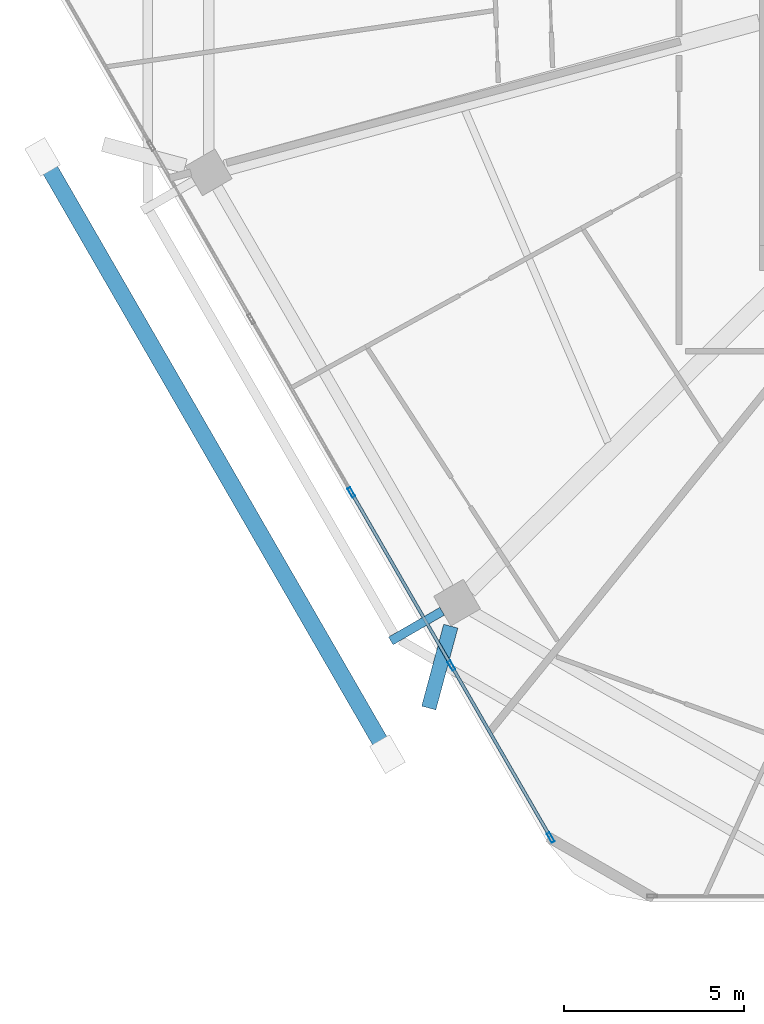
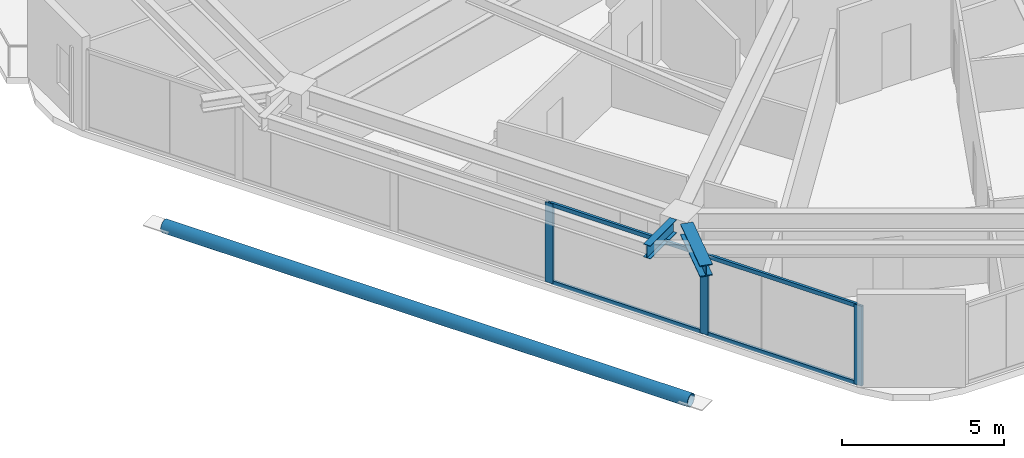
# One storey, part 2 of 28: 8 members, 2 beams, 1 element without a shape of its own.
"""IFC4 building model written with IfcOpenShell, lengths in metres."""

from ifc_helpers import new_model, si_unit, direction, frame, origin, origin_2d, place, context, subcontext, project, spatial, hollow_rectangle, hollow_circle, i_section, extrude, material, material_profile, profile_set, type_object, element, aggregate, save


model = new_model("IFC4")

# Units and contexts
model_context = context("Model", 3, precision=1e-05, world=origin(), true_north=direction((0.0, 1.0)))
body_context = subcontext(model_context, "Body", "Model", "MODEL_VIEW")
ifc_project = project(units=[si_unit("LENGTHUNIT", "METRE"), si_unit("AREAUNIT", "SQUARE_METRE"), si_unit("VOLUMEUNIT", "CUBIC_METRE"), si_unit("PLANEANGLEUNIT", "RADIAN"), si_unit("MASSUNIT", "GRAM", prefix="KILO")], contexts=[model_context])

# Site, building, storey
site_placement = place(None, origin())
site = spatial("IfcSite", under=ifc_project, at=site_placement, CompositionType="ELEMENT")
building_placement = place(site_placement, origin())
building = spatial("IfcBuilding", under=site, at=building_placement, Name="Zuhravey Tower", CompositionType="ELEMENT")
storey_placement = place(building_placement, frame((0.0, 0.0, 222.60009765625)))
storey = spatial("IfcBuildingStorey", under=building, at=storey_placement, Name="L56", CompositionType="ELEMENT", Elevation=222.60009765625)

# Curtain wall, members
ifc_material_1 = material(Name="Thermally broken anodised aluminium", Category="aluminium")
curtain_wall_type = type_object("IfcCurtainWallType", Name="Zone 1-2 Residential Curtain Wall CW3", PredefinedType="NOTDEFINED", material=ifc_material_1)
curtain_wall_placement = place(storey_placement, origin())
curtain_wall = element("IfcCurtainWall", 1, at=curtain_wall_placement, inside=storey, type_object=curtain_wall_type, Name="L56 CW3 CW-L56-F4-1", PredefinedType="NOTDEFINED")
ifc_material_2 = material(Name="Anodised aluminium", Category="aluminium")
ifc_material_profile_1 = material_profile(ifc_material_2, hollow_rectangle(XDim=0.090087890625, YDim=0.284912109375, WallThickness=0.0048828125, at=origin_2d()), Name="ALU-RHS-90x285x5")
ifc_profile_set_1 = profile_set([ifc_material_profile_1], Name="Anodised aluminium")
member_type_1 = type_object("IfcMemberType", Name="Curtain-Wall Mullion 90x180", PredefinedType="MULLION", material=ifc_profile_set_1)
member_1_placement = place(storey_placement, frame((19.36669921875, 6.443359375, 0.0), z_axis=(0.0, 0.0, 1.0), x_axis=(-0.866025138215, -0.500000459979, 0.0)))
member_1 = element("IfcMember", 2, at=member_1_placement, type_object=member_type_1, Name="CW3 mullion 1", PredefinedType="MULLION", context=body_context, shape_type="SweptSolid", body=[
    extrude(hollow_rectangle(XDim=0.090087890625, YDim=0.284912109375, WallThickness=0.0048828125, at=origin_2d()), origin(), (0.0, 0.0, 1.0), 3.02001953125),
])
member_2_placement = place(storey_placement, frame((16.6171875, 11.2060546875, 0.0), z_axis=(0.0, 0.0, 1.0), x_axis=(-0.866025138215, -0.500000459979, 0.0)))
member_2 = element("IfcMember", 3, at=member_2_placement, type_object=member_type_1, Name="CW3 mullion 2", PredefinedType="MULLION", context=body_context, shape_type="SweptSolid", body=[
    extrude(hollow_rectangle(XDim=0.090087890625, YDim=0.284912109375, WallThickness=0.0048828125, at=origin_2d()), origin(), (0.0, 0.0, 1.0), 3.02001953125),
])
member_3_placement = place(storey_placement, frame((13.844970703125, 16.007568359375, 0.0), z_axis=(0.0, 0.0, 1.0), x_axis=(-0.866025138215, -0.500000459979, 0.0)))
member_3 = element("IfcMember", 4, at=member_3_placement, type_object=member_type_1, Name="CW3 mullion 3", PredefinedType="MULLION", context=body_context, shape_type="SweptSolid", body=[
    extrude(hollow_rectangle(XDim=0.090087890625, YDim=0.284912109375, WallThickness=0.0048828125, at=origin_2d()), origin(), (0.0, 0.0, 1.0), 3.02001953125),
])
ifc_material_profile_2 = material_profile(ifc_material_2, hollow_rectangle(XDim=0.090087890625, YDim=0.14990234375, WallThickness=0.0048828125, at=origin_2d()), Name="ALU-RHS-90x150x5")
ifc_profile_set_2 = profile_set([ifc_material_profile_2], Name="Anodised aluminium")
member_type_2 = type_object("IfcMemberType", Name="Curtain-Wall Transom 90x150", PredefinedType="USERDEFINED", material=ifc_profile_set_2)
member_4_placement = place(storey_placement, frame((19.34423828125, 6.482421875, 0.044921875), z_axis=(-0.499993332629, 0.866029253159, 0.0), x_axis=(-0.866029253159, -0.499993332629, 0.0)))
member_4 = element("IfcMember", 5, at=member_4_placement, type_object=member_type_2, Name="CW3 transom 1.1", ObjectType="TRANSOM", PredefinedType="USERDEFINED", context=body_context, shape_type="SweptSolid", body=[
    extrude(hollow_rectangle(XDim=0.090087890625, YDim=0.14990234375, WallThickness=0.0048828125, at=origin_2d()), origin(), (0.0, 0.0, 1.0), 5.4091796875),
])
member_5_placement = place(storey_placement, frame((19.34423828125, 6.482421875, 2.974853515625), z_axis=(-0.499993332629, 0.866029253159, 0.0), x_axis=(-0.866029253159, -0.499993332629, 0.0)))
member_5 = element("IfcMember", 6, at=member_5_placement, type_object=member_type_2, Name="CW3 transom 1.2", ObjectType="TRANSOM", PredefinedType="USERDEFINED", context=body_context, shape_type="SweptSolid", body=[
    extrude(hollow_rectangle(XDim=0.090087890625, YDim=0.14990234375, WallThickness=0.0048828125, at=origin_2d()), origin(), (0.0, 0.0, 1.0), 5.4091796875),
])
member_6_placement = place(storey_placement, frame((16.594482421875, 11.244873046875, 0.044921875), z_axis=(-0.49996138257, 0.86604769842, 0.0), x_axis=(-0.86604769842, -0.49996138257, 0.0)))
member_6 = element("IfcMember", 7, at=member_6_placement, type_object=member_type_2, Name="CW3 transom 2.1", ObjectType="TRANSOM", PredefinedType="USERDEFINED", context=body_context, shape_type="SweptSolid", body=[
    extrude(hollow_rectangle(XDim=0.090087890625, YDim=0.14990234375, WallThickness=0.0048828125, at=origin_2d()), origin(), (0.0, 0.0, 1.0), 5.45458984375),
])
member_7_placement = place(storey_placement, frame((16.594482421875, 11.244873046875, 2.974853515625), z_axis=(-0.49996138257, 0.86604769842, 0.0), x_axis=(-0.86604769842, -0.49996138257, 0.0)))
member_7 = element("IfcMember", 8, at=member_7_placement, type_object=member_type_2, Name="CW3 transom 2.2", ObjectType="TRANSOM", PredefinedType="USERDEFINED", context=body_context, shape_type="SweptSolid", body=[
    extrude(hollow_rectangle(XDim=0.090087890625, YDim=0.14990234375, WallThickness=0.0048828125, at=origin_2d()), origin(), (0.0, 0.0, 1.0), 5.45458984375),
])
aggregate(curtain_wall, [member_1, member_2, member_3, member_4, member_5, member_6, member_7])

# Beam
ifc_material_3 = material(Name="Steel SM460", Category="steel")
ifc_material_profile_3 = material_profile(ifc_material_3, i_section(OverallWidth=0.406982421875, OverallDepth=0.427978515625, WebThickness=0.02001953125, FlangeThickness=0.034912109375, at=origin_2d()), Name="H-428x407x20x35")
ifc_profile_set_3 = profile_set([ifc_material_profile_3], Name="Steel SM460")
beam_type_1 = type_object("IfcBeamType", Name="Exoskeleton Node Tie Beam H428x407", PredefinedType="BEAM", material=ifc_profile_set_3)
beam_1_placement = place(storey_placement, frame((16.59912109375, 12.30126953125, 3.305908203125), z_axis=(-0.259596890668, -0.965717067446, 0.0), x_axis=(0.965717067446, -0.259596890668, 0.0)))
element("IfcBeam", 9, at=beam_1_placement, inside=storey, type_object=beam_type_1, Name="L56 Exoskeleton Node Tie NT1-08", PredefinedType="BEAM", context=body_context, shape_type="SweptSolid", body=[
    extrude(i_section(OverallWidth=0.406982421875, OverallDepth=0.427978515625, WebThickness=0.02001953125, FlangeThickness=0.034912109375, at=origin_2d()), origin(), (0.0, 0.0, 1.0), 2.348388671875),
])

# Member
ifc_material_4 = material(Name="Steel SM355", Category="steel")
ifc_material_profile_4 = material_profile(ifc_material_4, hollow_circle(Radius=0.228515625, WallThickness=0.02197265625, at=origin_2d()), Name="CHS-457.2x22")
ifc_profile_set_4 = profile_set([ifc_material_profile_4], Name="Steel SM355")
member_type_3 = type_object("IfcMemberType", Name="Exoskeleton Ring Tie CHS457x22", PredefinedType="CHORD", material=ifc_profile_set_4)
member_8_placement = place(storey_placement, frame((5.361083984375, 25.18212890625, -0.464111328125), z_axis=(0.499989194203, -0.866031642424, 0.0), x_axis=(0.866031642424, 0.499989194203, 0.0)))
element("IfcMember", 10, at=member_8_placement, inside=storey, type_object=member_type_3, Name="L56 Exoskeleton Face 4 Tie EXR1", PredefinedType="CHORD", context=body_context, shape_type="SweptSolid", body=[
    extrude(hollow_circle(Radius=0.228515625, WallThickness=0.02197265625, at=origin_2d()), origin(), (0.0, 0.0, 1.0), 18.830078125),
])

# Beam
ifc_material_profile_5 = material_profile(ifc_material_4, i_section(OverallWidth=0.25, OverallDepth=0.5, WebThickness=0.010009765625, FlangeThickness=0.01611328125, at=origin_2d()), Name="H-500x250x10x16")
ifc_profile_set_5 = profile_set([ifc_material_profile_5], Name="Steel SM355")
beam_type_2 = type_object("IfcBeamType", Name="Tray Cantilever Spandrel H500x250", PredefinedType="SPANDREL", material=ifc_profile_set_5)
beam_2_placement = place(storey_placement, frame((16.359619140625, 12.7138671875, 3.27001953125), z_axis=(-0.866009679343, -0.500027234542, 0.0), x_axis=(0.500027234542, -0.866009679343, 0.0)))
element("IfcBeam", 11, at=beam_2_placement, inside=storey, type_object=beam_type_2, Name="L56 Sky-Tray Cantilever Arm TSB1-R08", PredefinedType="SPANDREL", context=body_context, shape_type="SweptSolid", body=[
    extrude(i_section(OverallWidth=0.25, OverallDepth=0.5, WebThickness=0.010009765625, FlangeThickness=0.01611328125, at=origin_2d()), origin(), (0.0, 0.0, 1.0), 1.64111328125),
])

save(model, "model.ifc")
